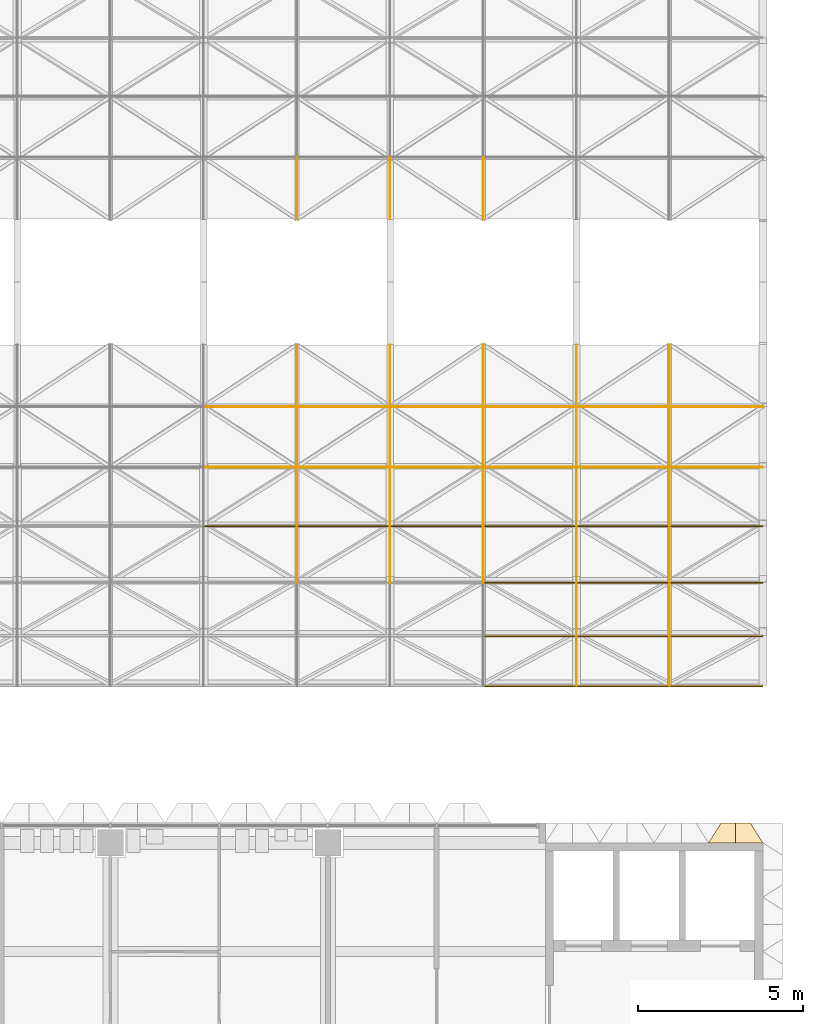
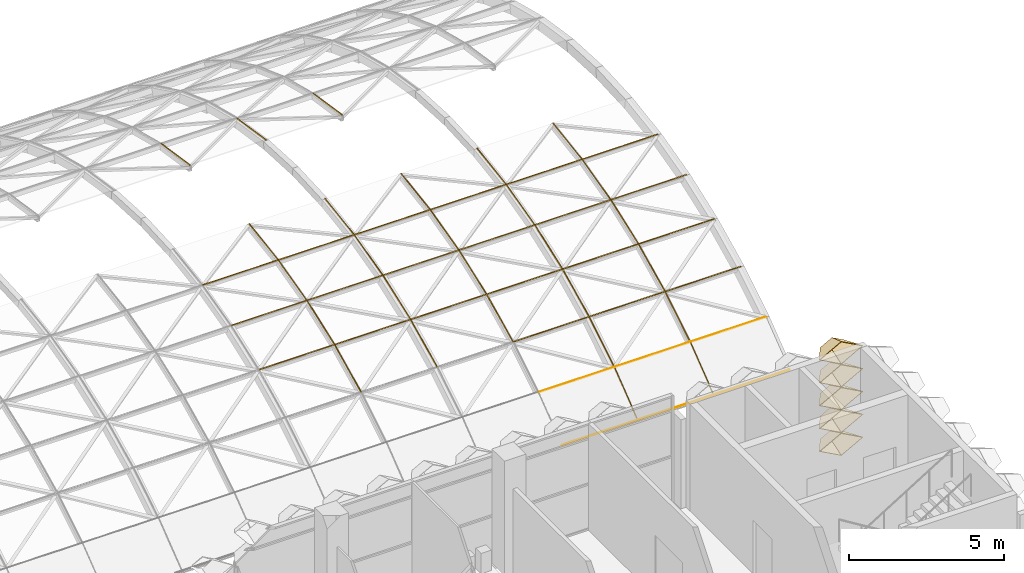
# One storey, part 69 of 85: 59 coverings.
"""IFC4 building model written with IfcOpenShell, lengths in metres."""

from ifc_helpers import new_model, entity, si_unit, direction, frame, origin, origin_2d, place, context, subcontext, project, spatial, rectangle, extrude, material, layer, layer_set, material_profile, profile_set, type_object, element, save


model = new_model("IFC4")

# Units and contexts
model_context = context("Model", 3, precision=1e-05, world=origin(), true_north=direction((0.0, 1.0)))
body_context = subcontext(model_context, "Body", "Model", "MODEL_VIEW")
ifc_project = project(units=[si_unit("LENGTHUNIT", "METRE"), si_unit("AREAUNIT", "SQUARE_METRE"), si_unit("VOLUMEUNIT", "CUBIC_METRE"), si_unit("PLANEANGLEUNIT", "RADIAN"), si_unit("MASSUNIT", "GRAM", prefix="KILO")], contexts=[model_context])

# Site, building, storey
site_placement = place(None, origin())
site = spatial("IfcSite", under=ifc_project, at=site_placement, CompositionType="ELEMENT")
building_placement = place(site_placement, origin())
building = spatial("IfcBuilding", under=site, at=building_placement, Name="Lantern Court Research Institute", CompositionType="ELEMENT")
storey_placement = place(building_placement, frame((0.0, 0.0, 18.89990234375)))
storey = spatial("IfcBuildingStorey", under=building, at=storey_placement, Name="L04", CompositionType="ELEMENT", Elevation=18.89990234375)

# Coverings
ifc_material_1 = material(Name="Anodised aluminium", Category="aluminium")
ifc_layer = layer(ifc_material_1, 0.01611328125)
ifc_layer_set = layer_set([ifc_layer], Name="Anodised aluminium")
covering_type_1 = type_object("IfcCoveringType", Name="Fin cassette 1650 x 900 x 600 aluminium", PredefinedType="CLADDING", material=ifc_layer_set)
covering_1_placement = place(storey_placement, frame((78.375, 23.10009765625, 0.4501953125), z_axis=(0.0, 1.0, 0.0), x_axis=(-1.0, 0.0, 0.0)))
cartesian_point_1 = entity("IfcCartesianPoint", [0.824951171875, 0.0])
cartesian_point_2 = entity("IfcCartesianPoint", [0.79150390625, 0.0])
cartesian_point_3 = entity("IfcCartesianPoint", [0.44189453125, 0.0])
cartesian_point_4 = entity("IfcCartesianPoint", [0.43359375, 0.0])
element("IfcCovering", 1, at=covering_1_placement, inside=storey, type_object=covering_type_1, Name="Fin cassette V5N-L04 1.48", PredefinedType="CLADDING", context=body_context, shape_type="SweptSolid", body=[
    entity("IfcExtrudedAreaSolidTapered", entity("IfcArbitraryProfileDefWithVoids", "AREA", None, entity("IfcPolyline", [cartesian_point_1, entity("IfcCartesianPoint", [0.0, 0.449951171875]), entity("IfcCartesianPoint", [-0.824951171875, 0.0]), entity("IfcCartesianPoint", [0.0, -0.449951171875]), cartesian_point_1]), [entity("IfcPolyline", [cartesian_point_2, entity("IfcCartesianPoint", [0.0, 0.431884765625]), entity("IfcCartesianPoint", [-0.79150390625, 0.0]), entity("IfcCartesianPoint", [0.0, -0.431884765625]), cartesian_point_2])]), entity("IfcAxis2Placement3D", entity("IfcCartesianPoint", [0.0, 0.0, 0.0])), entity("IfcDirection", [0.0, 0.0, 1.0]), 0.60009765625, entity("IfcArbitraryProfileDefWithVoids", "AREA", None, entity("IfcPolyline", [cartesian_point_3, entity("IfcCartesianPoint", [0.0, 0.240966796875]), entity("IfcCartesianPoint", [-0.44189453125, 0.0]), entity("IfcCartesianPoint", [0.0, -0.240966796875]), cartesian_point_3]), [entity("IfcPolyline", [cartesian_point_4, entity("IfcCartesianPoint", [0.0, 0.236572265625]), entity("IfcCartesianPoint", [-0.43359375, 0.0]), entity("IfcCartesianPoint", [0.0, -0.236572265625]), cartesian_point_4])])),
])
covering_2_placement = place(storey_placement, frame((78.375, 23.10009765625, 1.35009765625), z_axis=(0.0, 1.0, 0.0), x_axis=(-1.0, 0.0, 0.0)))
cartesian_point_5 = entity("IfcCartesianPoint", [0.824951171875, 0.0])
cartesian_point_6 = entity("IfcCartesianPoint", [0.79150390625, 0.0])
cartesian_point_7 = entity("IfcCartesianPoint", [0.44189453125, 0.0])
cartesian_point_8 = entity("IfcCartesianPoint", [0.43359375, 0.0])
element("IfcCovering", 2, at=covering_2_placement, inside=storey, type_object=covering_type_1, Name="Fin cassette V5N-L04 2.48", PredefinedType="CLADDING", context=body_context, shape_type="SweptSolid", body=[
    entity("IfcExtrudedAreaSolidTapered", entity("IfcArbitraryProfileDefWithVoids", "AREA", None, entity("IfcPolyline", [cartesian_point_5, entity("IfcCartesianPoint", [0.0, 0.449951171875]), entity("IfcCartesianPoint", [-0.824951171875, 0.0]), entity("IfcCartesianPoint", [0.0, -0.449951171875]), cartesian_point_5]), [entity("IfcPolyline", [cartesian_point_6, entity("IfcCartesianPoint", [0.0, 0.431884765625]), entity("IfcCartesianPoint", [-0.79150390625, 0.0]), entity("IfcCartesianPoint", [0.0, -0.431884765625]), cartesian_point_6])]), entity("IfcAxis2Placement3D", entity("IfcCartesianPoint", [0.0, 0.0, 0.0])), entity("IfcDirection", [0.0, 0.0, 1.0]), 0.60009765625, entity("IfcArbitraryProfileDefWithVoids", "AREA", None, entity("IfcPolyline", [cartesian_point_7, entity("IfcCartesianPoint", [0.0, 0.240966796875]), entity("IfcCartesianPoint", [-0.44189453125, 0.0]), entity("IfcCartesianPoint", [0.0, -0.240966796875]), cartesian_point_7]), [entity("IfcPolyline", [cartesian_point_8, entity("IfcCartesianPoint", [0.0, 0.236572265625]), entity("IfcCartesianPoint", [-0.43359375, 0.0]), entity("IfcCartesianPoint", [0.0, -0.236572265625]), cartesian_point_8])])),
])
covering_3_placement = place(storey_placement, frame((78.375, 23.10009765625, 2.25), z_axis=(0.0, 1.0, 0.0), x_axis=(-1.0, 0.0, 0.0)))
cartesian_point_9 = entity("IfcCartesianPoint", [0.824951171875, 0.0])
cartesian_point_10 = entity("IfcCartesianPoint", [0.79150390625, 0.0])
cartesian_point_11 = entity("IfcCartesianPoint", [0.44189453125, 0.0])
cartesian_point_12 = entity("IfcCartesianPoint", [0.43359375, 0.0])
element("IfcCovering", 3, at=covering_3_placement, inside=storey, type_object=covering_type_1, Name="Fin cassette V5N-L04 3.48", PredefinedType="CLADDING", context=body_context, shape_type="SweptSolid", body=[
    entity("IfcExtrudedAreaSolidTapered", entity("IfcArbitraryProfileDefWithVoids", "AREA", None, entity("IfcPolyline", [cartesian_point_9, entity("IfcCartesianPoint", [0.0, 0.449951171875]), entity("IfcCartesianPoint", [-0.824951171875, 0.0]), entity("IfcCartesianPoint", [0.0, -0.449951171875]), cartesian_point_9]), [entity("IfcPolyline", [cartesian_point_10, entity("IfcCartesianPoint", [0.0, 0.431884765625]), entity("IfcCartesianPoint", [-0.79150390625, 0.0]), entity("IfcCartesianPoint", [0.0, -0.431884765625]), cartesian_point_10])]), entity("IfcAxis2Placement3D", entity("IfcCartesianPoint", [0.0, 0.0, 0.0])), entity("IfcDirection", [0.0, 0.0, 1.0]), 0.60009765625, entity("IfcArbitraryProfileDefWithVoids", "AREA", None, entity("IfcPolyline", [cartesian_point_11, entity("IfcCartesianPoint", [0.0, 0.240966796875]), entity("IfcCartesianPoint", [-0.44189453125, 0.0]), entity("IfcCartesianPoint", [0.0, -0.240966796875]), cartesian_point_11]), [entity("IfcPolyline", [cartesian_point_12, entity("IfcCartesianPoint", [0.0, 0.236572265625]), entity("IfcCartesianPoint", [-0.43359375, 0.0]), entity("IfcCartesianPoint", [0.0, -0.236572265625]), cartesian_point_12])])),
])
covering_4_placement = place(storey_placement, frame((78.375, 23.10009765625, 3.150146484375), z_axis=(0.0, 1.0, 0.0), x_axis=(-1.0, 0.0, 0.0)))
cartesian_point_13 = entity("IfcCartesianPoint", [0.824951171875, 0.0])
cartesian_point_14 = entity("IfcCartesianPoint", [0.79150390625, 0.0])
cartesian_point_15 = entity("IfcCartesianPoint", [0.44189453125, 0.0])
cartesian_point_16 = entity("IfcCartesianPoint", [0.43359375, 0.0])
element("IfcCovering", 4, at=covering_4_placement, inside=storey, type_object=covering_type_1, Name="Fin cassette V5N-L04 4.48", PredefinedType="CLADDING", context=body_context, shape_type="SweptSolid", body=[
    entity("IfcExtrudedAreaSolidTapered", entity("IfcArbitraryProfileDefWithVoids", "AREA", None, entity("IfcPolyline", [cartesian_point_13, entity("IfcCartesianPoint", [0.0, 0.449951171875]), entity("IfcCartesianPoint", [-0.824951171875, 0.0]), entity("IfcCartesianPoint", [0.0, -0.449951171875]), cartesian_point_13]), [entity("IfcPolyline", [cartesian_point_14, entity("IfcCartesianPoint", [0.0, 0.431884765625]), entity("IfcCartesianPoint", [-0.79150390625, 0.0]), entity("IfcCartesianPoint", [0.0, -0.431884765625]), cartesian_point_14])]), entity("IfcAxis2Placement3D", entity("IfcCartesianPoint", [0.0, 0.0, 0.0])), entity("IfcDirection", [0.0, 0.0, 1.0]), 0.60009765625, entity("IfcArbitraryProfileDefWithVoids", "AREA", None, entity("IfcPolyline", [cartesian_point_15, entity("IfcCartesianPoint", [0.0, 0.240966796875]), entity("IfcCartesianPoint", [-0.44189453125, 0.0]), entity("IfcCartesianPoint", [0.0, -0.240966796875]), cartesian_point_15]), [entity("IfcPolyline", [cartesian_point_16, entity("IfcCartesianPoint", [0.0, 0.236572265625]), entity("IfcCartesianPoint", [-0.43359375, 0.0]), entity("IfcCartesianPoint", [0.0, -0.236572265625]), cartesian_point_16])])),
])
covering_5_placement = place(storey_placement, frame((78.375, 23.10009765625, 4.050048828125), z_axis=(0.0, 1.0, 0.0), x_axis=(-1.0, 0.0, 0.0)))
cartesian_point_17 = entity("IfcCartesianPoint", [0.824951171875, 0.0])
cartesian_point_18 = entity("IfcCartesianPoint", [0.79150390625, 0.0])
cartesian_point_19 = entity("IfcCartesianPoint", [0.44189453125, 0.0])
cartesian_point_20 = entity("IfcCartesianPoint", [0.43359375, 0.0])
element("IfcCovering", 5, at=covering_5_placement, inside=storey, type_object=covering_type_1, Name="Fin cassette V5N-L04 5.48", PredefinedType="CLADDING", context=body_context, shape_type="SweptSolid", body=[
    entity("IfcExtrudedAreaSolidTapered", entity("IfcArbitraryProfileDefWithVoids", "AREA", None, entity("IfcPolyline", [cartesian_point_17, entity("IfcCartesianPoint", [0.0, 0.449951171875]), entity("IfcCartesianPoint", [-0.824951171875, 0.0]), entity("IfcCartesianPoint", [0.0, -0.449951171875]), cartesian_point_17]), [entity("IfcPolyline", [cartesian_point_18, entity("IfcCartesianPoint", [0.0, 0.431884765625]), entity("IfcCartesianPoint", [-0.79150390625, 0.0]), entity("IfcCartesianPoint", [0.0, -0.431884765625]), cartesian_point_18])]), entity("IfcAxis2Placement3D", entity("IfcCartesianPoint", [0.0, 0.0, 0.0])), entity("IfcDirection", [0.0, 0.0, 1.0]), 0.60009765625, entity("IfcArbitraryProfileDefWithVoids", "AREA", None, entity("IfcPolyline", [cartesian_point_19, entity("IfcCartesianPoint", [0.0, 0.240966796875]), entity("IfcCartesianPoint", [-0.44189453125, 0.0]), entity("IfcCartesianPoint", [0.0, -0.240966796875]), cartesian_point_19]), [entity("IfcPolyline", [cartesian_point_20, entity("IfcCartesianPoint", [0.0, 0.236572265625]), entity("IfcCartesianPoint", [-0.43359375, 0.0]), entity("IfcCartesianPoint", [0.0, -0.236572265625]), cartesian_point_20])])),
])
ifc_material_2 = material(Name="Aluminium alloy 6063-T6", Category="aluminium")
ifc_material_profile_1 = material_profile(ifc_material_2, rectangle(XDim=0.01806640625, YDim=0.035888671875, at=origin_2d()), Name="Joint cover bar 18 x 36")
ifc_profile_set_1 = profile_set([ifc_material_profile_1], Name="Aluminium alloy 6063-T6")
covering_type_2 = type_object("IfcCoveringType", Name="Joint cover bar 18 x 36", PredefinedType="MOLDING", material=ifc_profile_set_1)
for number, where, z_axis, x_axis, name in (
    (6, (62.238525390625, 34.496337890625, 3.861328125), (1.0, 0.0, 0.0), (0.0, 0.954713115517, 0.29752792652), "Joint cover bar"),
    (7, (62.238525390625, 36.340576171875, 4.335693359375), (1.0, 0.0, 0.0), (0.0, 0.979787176632, 0.200042716708), "Joint cover bar"),
):
    element("IfcCovering", number, at=place(storey_placement, frame(where, z_axis=z_axis, x_axis=x_axis)), inside=storey, type_object=covering_type_2, Name=name, PredefinedType="MOLDING", context=body_context, shape_type="SweptSolid", body=[
        extrude(rectangle(XDim=0.01806640625, YDim=0.035888671875, at=origin_2d()), origin(), (0.0, 0.0, 1.0), 2.80859375),
    ])
covering_6_placement = place(storey_placement, frame((65.05712890625, 34.497314453125, 3.861572265625), z_axis=(0.0, 0.968474356566, 0.249113268764), x_axis=(-1.0, 0.0, 0.0)))
element("IfcCovering", 8, at=covering_6_placement, inside=storey, type_object=covering_type_2, Name="Joint cover bar", PredefinedType="MOLDING", context=body_context, shape_type="SweptSolid", body=[
    extrude(rectangle(XDim=0.01806640625, YDim=0.035888671875, at=origin_2d()), origin(), (0.0, 0.0, 1.0), 1.90234375),
])
covering_7_placement = place(storey_placement, frame((65.067138671875, 34.496337890625, 3.861328125), z_axis=(1.0, 0.0, 0.0), x_axis=(0.0, 0.954713115517, 0.29752792652)))
element("IfcCovering", 9, at=covering_7_placement, inside=storey, type_object=covering_type_2, Name="Joint cover bar", PredefinedType="MOLDING", context=body_context, shape_type="SweptSolid", body=[
    extrude(rectangle(XDim=0.01806640625, YDim=0.035888671875, at=origin_2d()), origin(), (0.0, 0.0, 1.0), 2.80859375),
])
covering_8_placement = place(storey_placement, frame((65.05712890625, 36.341552734375, 4.3359375), z_axis=(0.0, 0.988622571714, 0.150417454764), x_axis=(-1.0, 0.0, 0.0)))
element("IfcCovering", 10, at=covering_8_placement, inside=storey, type_object=covering_type_2, Name="Joint cover bar", PredefinedType="MOLDING", context=body_context, shape_type="SweptSolid", body=[
    extrude(rectangle(XDim=0.01806640625, YDim=0.035888671875, at=origin_2d()), origin(), (0.0, 0.0, 1.0), 1.90234375),
])
covering_9_placement = place(storey_placement, frame((65.067138671875, 36.340576171875, 4.335693359375), z_axis=(1.0, 0.0, 0.0), x_axis=(0.0, 0.979787176632, 0.200042716708)))
element("IfcCovering", 11, at=covering_9_placement, inside=storey, type_object=covering_type_2, Name="Joint cover bar", PredefinedType="MOLDING", context=body_context, shape_type="SweptSolid", body=[
    extrude(rectangle(XDim=0.01806640625, YDim=0.035888671875, at=origin_2d()), origin(), (0.0, 0.0, 1.0), 2.80859375),
])
for number, where, z_axis, x_axis, name in (
    (12, (65.05712890625, 42.02783203125, 4.6220703125), (0.0, 0.988622571714, -0.150417454764), (-1.0, 0.0, 0.0), "Joint cover bar"),
    (13, (67.8857421875, 34.497314453125, 3.861572265625), (0.0, 0.968474356566, 0.249113268764), (-1.0, 0.0, 0.0), "Joint cover bar"),
):
    element("IfcCovering", number, at=place(storey_placement, frame(where, z_axis=z_axis, x_axis=x_axis)), inside=storey, type_object=covering_type_2, Name=name, PredefinedType="MOLDING", context=body_context, shape_type="SweptSolid", body=[
        extrude(rectangle(XDim=0.01806640625, YDim=0.035888671875, at=origin_2d()), origin(), (0.0, 0.0, 1.0), 1.90234375),
    ])
covering_10_placement = place(storey_placement, frame((67.895751953125, 34.496337890625, 3.861328125), z_axis=(1.0, 0.0, 0.0), x_axis=(0.0, 0.954713115517, 0.29752792652)))
element("IfcCovering", 14, at=covering_10_placement, inside=storey, type_object=covering_type_2, Name="Joint cover bar", PredefinedType="MOLDING", context=body_context, shape_type="SweptSolid", body=[
    extrude(rectangle(XDim=0.01806640625, YDim=0.035888671875, at=origin_2d()), origin(), (0.0, 0.0, 1.0), 2.80859375),
])
covering_11_placement = place(storey_placement, frame((67.8857421875, 36.341552734375, 4.3359375), z_axis=(0.0, 0.988622571714, 0.150417454764), x_axis=(-1.0, 0.0, 0.0)))
element("IfcCovering", 15, at=covering_11_placement, inside=storey, type_object=covering_type_2, Name="Joint cover bar", PredefinedType="MOLDING", context=body_context, shape_type="SweptSolid", body=[
    extrude(rectangle(XDim=0.01806640625, YDim=0.035888671875, at=origin_2d()), origin(), (0.0, 0.0, 1.0), 1.90234375),
])
covering_12_placement = place(storey_placement, frame((67.895751953125, 36.340576171875, 4.335693359375), z_axis=(1.0, 0.0, 0.0), x_axis=(0.0, 0.979787176632, 0.200042716708)))
element("IfcCovering", 16, at=covering_12_placement, inside=storey, type_object=covering_type_2, Name="Joint cover bar", PredefinedType="MOLDING", context=body_context, shape_type="SweptSolid", body=[
    extrude(rectangle(XDim=0.01806640625, YDim=0.035888671875, at=origin_2d()), origin(), (0.0, 0.0, 1.0), 2.80859375),
])
for number, where, z_axis, x_axis, name in (
    (17, (67.8857421875, 42.02783203125, 4.6220703125), (0.0, 0.988622571714, -0.150417454764), (-1.0, 0.0, 0.0), "Joint cover bar"),
    (18, (70.71435546875, 34.497314453125, 3.861572265625), (0.0, 0.968474356566, 0.249113268764), (-1.0, 0.0, 0.0), "Joint cover bar"),
):
    element("IfcCovering", number, at=place(storey_placement, frame(where, z_axis=z_axis, x_axis=x_axis)), inside=storey, type_object=covering_type_2, Name=name, PredefinedType="MOLDING", context=body_context, shape_type="SweptSolid", body=[
        extrude(rectangle(XDim=0.01806640625, YDim=0.035888671875, at=origin_2d()), origin(), (0.0, 0.0, 1.0), 1.90234375),
    ])
covering_13_placement = place(storey_placement, frame((70.724365234375, 34.496337890625, 3.861328125), z_axis=(1.0, 0.0, 0.0), x_axis=(0.0, 0.954713115517, 0.29752792652)))
element("IfcCovering", 19, at=covering_13_placement, inside=storey, type_object=covering_type_2, Name="Joint cover bar", PredefinedType="MOLDING", context=body_context, shape_type="SweptSolid", body=[
    extrude(rectangle(XDim=0.01806640625, YDim=0.035888671875, at=origin_2d()), origin(), (0.0, 0.0, 1.0), 2.80859375),
])
covering_14_placement = place(storey_placement, frame((70.71435546875, 36.341552734375, 4.3359375), z_axis=(0.0, 0.988622571714, 0.150417454764), x_axis=(-1.0, 0.0, 0.0)))
element("IfcCovering", 20, at=covering_14_placement, inside=storey, type_object=covering_type_2, Name="Joint cover bar", PredefinedType="MOLDING", context=body_context, shape_type="SweptSolid", body=[
    extrude(rectangle(XDim=0.01806640625, YDim=0.035888671875, at=origin_2d()), origin(), (0.0, 0.0, 1.0), 1.90234375),
])
covering_15_placement = place(storey_placement, frame((70.724365234375, 36.340576171875, 4.335693359375), z_axis=(1.0, 0.0, 0.0), x_axis=(0.0, 0.979787176632, 0.200042716708)))
element("IfcCovering", 21, at=covering_15_placement, inside=storey, type_object=covering_type_2, Name="Joint cover bar", PredefinedType="MOLDING", context=body_context, shape_type="SweptSolid", body=[
    extrude(rectangle(XDim=0.01806640625, YDim=0.035888671875, at=origin_2d()), origin(), (0.0, 0.0, 1.0), 2.80859375),
])
for number, where, z_axis, x_axis, name in (
    (22, (70.71435546875, 42.02783203125, 4.6220703125), (0.0, 0.988622571714, -0.150417454764), (-1.0, 0.0, 0.0), "Joint cover bar"),
    (23, (73.54296875, 34.497314453125, 3.861572265625), (0.0, 0.968474356566, 0.249113268764), (-1.0, 0.0, 0.0), "Joint cover bar"),
):
    element("IfcCovering", number, at=place(storey_placement, frame(where, z_axis=z_axis, x_axis=x_axis)), inside=storey, type_object=covering_type_2, Name=name, PredefinedType="MOLDING", context=body_context, shape_type="SweptSolid", body=[
        extrude(rectangle(XDim=0.01806640625, YDim=0.035888671875, at=origin_2d()), origin(), (0.0, 0.0, 1.0), 1.90234375),
    ])
covering_16_placement = place(storey_placement, frame((73.552978515625, 34.496337890625, 3.861328125), z_axis=(1.0, 0.0, 0.0), x_axis=(0.0, 0.954713115517, 0.29752792652)))
element("IfcCovering", 24, at=covering_16_placement, inside=storey, type_object=covering_type_2, Name="Joint cover bar", PredefinedType="MOLDING", context=body_context, shape_type="SweptSolid", body=[
    extrude(rectangle(XDim=0.01806640625, YDim=0.035888671875, at=origin_2d()), origin(), (0.0, 0.0, 1.0), 2.808349609375),
])
covering_17_placement = place(storey_placement, frame((73.54296875, 36.341552734375, 4.3359375), z_axis=(0.0, 0.988622571714, 0.150417454764), x_axis=(-1.0, 0.0, 0.0)))
element("IfcCovering", 25, at=covering_17_placement, inside=storey, type_object=covering_type_2, Name="Joint cover bar", PredefinedType="MOLDING", context=body_context, shape_type="SweptSolid", body=[
    extrude(rectangle(XDim=0.01806640625, YDim=0.035888671875, at=origin_2d()), origin(), (0.0, 0.0, 1.0), 1.90234375),
])
covering_18_placement = place(storey_placement, frame((73.552978515625, 36.340576171875, 4.335693359375), z_axis=(1.0, 0.0, 0.0), x_axis=(0.0, 0.979787176632, 0.200042716708)))
element("IfcCovering", 26, at=covering_18_placement, inside=storey, type_object=covering_type_2, Name="Joint cover bar", PredefinedType="MOLDING", context=body_context, shape_type="SweptSolid", body=[
    extrude(rectangle(XDim=0.01806640625, YDim=0.035888671875, at=origin_2d()), origin(), (0.0, 0.0, 1.0), 2.808349609375),
])
covering_19_placement = place(storey_placement, frame((76.371337890625, 34.497314453125, 3.861572265625), z_axis=(0.0, 0.968474356566, 0.249113268764), x_axis=(-1.0, 0.0, 0.0)))
element("IfcCovering", 27, at=covering_19_placement, inside=storey, type_object=covering_type_2, Name="Joint cover bar", PredefinedType="MOLDING", context=body_context, shape_type="SweptSolid", body=[
    extrude(rectangle(XDim=0.01806640625, YDim=0.035888671875, at=origin_2d()), origin(), (0.0, 0.0, 1.0), 1.90234375),
])
covering_20_placement = place(storey_placement, frame((76.38134765625, 34.496337890625, 3.861328125), z_axis=(1.0, 0.0, 0.0), x_axis=(0.0, 0.954713115517, 0.29752792652)))
element("IfcCovering", 28, at=covering_20_placement, inside=storey, type_object=covering_type_2, Name="Joint cover bar", PredefinedType="MOLDING", context=body_context, shape_type="SweptSolid", body=[
    extrude(rectangle(XDim=0.01806640625, YDim=0.035888671875, at=origin_2d()), origin(), (0.0, 0.0, 1.0), 2.80859375),
])
covering_21_placement = place(storey_placement, frame((76.371337890625, 36.341552734375, 4.3359375), z_axis=(0.0, 0.988622571714, 0.150417454764), x_axis=(-1.0, 0.0, 0.0)))
element("IfcCovering", 29, at=covering_21_placement, inside=storey, type_object=covering_type_2, Name="Joint cover bar", PredefinedType="MOLDING", context=body_context, shape_type="SweptSolid", body=[
    extrude(rectangle(XDim=0.01806640625, YDim=0.035888671875, at=origin_2d()), origin(), (0.0, 0.0, 1.0), 1.90234375),
])
covering_22_placement = place(storey_placement, frame((76.38134765625, 36.340576171875, 4.335693359375), z_axis=(1.0, 0.0, 0.0), x_axis=(0.0, 0.979787176632, 0.200042716708)))
element("IfcCovering", 30, at=covering_22_placement, inside=storey, type_object=covering_type_2, Name="Joint cover bar", PredefinedType="MOLDING", context=body_context, shape_type="SweptSolid", body=[
    extrude(rectangle(XDim=0.01806640625, YDim=0.035888671875, at=origin_2d()), origin(), (0.0, 0.0, 1.0), 2.80859375),
])
ifc_material_3 = material(Name="Aluminium alloy 6063-T6", Category="aluminium")
ifc_material_profile_2 = material_profile(ifc_material_3, rectangle(XDim=0.01806640625, YDim=0.0439453125, at=origin_2d()), Name="Joint cover bar 18 x 44")
ifc_profile_set_2 = profile_set([ifc_material_profile_2], Name="Aluminium alloy 6063-T6")
covering_type_3 = type_object("IfcCoveringType", Name="Joint cover bar 18 x 44", PredefinedType="MOLDING", material=ifc_profile_set_2)
covering_23_placement = place(storey_placement, frame((62.238525390625, 32.70751953125, 3.207763671875), z_axis=(1.0, 0.0, 0.0), x_axis=(0.0, 0.919965822984, 0.391998577219)))
element("IfcCovering", 31, at=covering_23_placement, inside=storey, type_object=covering_type_3, Name="Joint cover bar", PredefinedType="MOLDING", context=body_context, shape_type="SweptSolid", body=[
    extrude(rectangle(XDim=0.01806640625, YDim=0.0439453125, at=origin_2d()), origin(), (0.0, 0.0, 1.0), 2.80859375),
])
covering_24_placement = place(storey_placement, frame((65.05712890625, 30.99609375, 2.374267578125), z_axis=(0.0, 0.899049454889, 0.437847093931), x_axis=(-1.0, 0.0, 0.0)))
element("IfcCovering", 32, at=covering_24_placement, inside=storey, type_object=covering_type_3, Name="Joint cover bar", PredefinedType="MOLDING", context=body_context, shape_type="SweptSolid", body=[
    extrude(rectangle(XDim=0.01806640625, YDim=0.0439453125, at=origin_2d()), origin(), (0.0, 0.0, 1.0), 1.902587890625),
])
covering_25_placement = place(storey_placement, frame((65.05712890625, 32.708740234375, 3.2080078125), z_axis=(0.0, 0.938520472327, 0.345223584105), x_axis=(-1.0, 0.0, 0.0)))
element("IfcCovering", 33, at=covering_25_placement, inside=storey, type_object=covering_type_3, Name="Joint cover bar", PredefinedType="MOLDING", context=body_context, shape_type="SweptSolid", body=[
    extrude(rectangle(XDim=0.01806640625, YDim=0.0439453125, at=origin_2d()), origin(), (0.0, 0.0, 1.0), 1.90234375),
])
covering_26_placement = place(storey_placement, frame((65.067138671875, 32.70751953125, 3.207763671875), z_axis=(1.0, 0.0, 0.0), x_axis=(0.0, 0.919965822984, 0.391998577219)))
element("IfcCovering", 34, at=covering_26_placement, inside=storey, type_object=covering_type_3, Name="Joint cover bar", PredefinedType="MOLDING", context=body_context, shape_type="SweptSolid", body=[
    extrude(rectangle(XDim=0.01806640625, YDim=0.0439453125, at=origin_2d()), origin(), (0.0, 0.0, 1.0), 2.80859375),
])
covering_27_placement = place(storey_placement, frame((67.8857421875, 30.99609375, 2.374267578125), z_axis=(0.0, 0.899049454889, 0.437847093931), x_axis=(-1.0, 0.0, 0.0)))
element("IfcCovering", 35, at=covering_27_placement, inside=storey, type_object=covering_type_3, Name="Joint cover bar", PredefinedType="MOLDING", context=body_context, shape_type="SweptSolid", body=[
    extrude(rectangle(XDim=0.01806640625, YDim=0.0439453125, at=origin_2d()), origin(), (0.0, 0.0, 1.0), 1.902587890625),
])
covering_28_placement = place(storey_placement, frame((67.8857421875, 32.708740234375, 3.2080078125), z_axis=(0.0, 0.938520472327, 0.345223584105), x_axis=(-1.0, 0.0, 0.0)))
element("IfcCovering", 36, at=covering_28_placement, inside=storey, type_object=covering_type_3, Name="Joint cover bar", PredefinedType="MOLDING", context=body_context, shape_type="SweptSolid", body=[
    extrude(rectangle(XDim=0.01806640625, YDim=0.0439453125, at=origin_2d()), origin(), (0.0, 0.0, 1.0), 1.90234375),
])
for number, where, z_axis, x_axis, name in (
    (37, (67.895751953125, 32.70751953125, 3.207763671875), (1.0, 0.0, 0.0), (0.0, 0.919965822984, 0.391998577219), "Joint cover bar"),
    (38, (70.724365234375, 27.8642578125, 0.21240234375), (1.0, 0.0, 0.0), (0.0, 0.761672913152, 0.647961706717), "Joint cover bar"),
    (39, (70.724365234375, 29.375244140625, 1.3720703125), (1.0, 0.0, 0.0), (0.0, 0.822954255966, 0.568107641726), "Joint cover bar"),
):
    element("IfcCovering", number, at=place(storey_placement, frame(where, z_axis=z_axis, x_axis=x_axis)), inside=storey, type_object=covering_type_3, Name=name, PredefinedType="MOLDING", context=body_context, shape_type="SweptSolid", body=[
        extrude(rectangle(XDim=0.01806640625, YDim=0.0439453125, at=origin_2d()), origin(), (0.0, 0.0, 1.0), 2.80859375),
    ])
covering_29_placement = place(storey_placement, frame((70.71435546875, 30.99609375, 2.374267578125), z_axis=(0.0, 0.899049454889, 0.437847093931), x_axis=(-1.0, 0.0, 0.0)))
element("IfcCovering", 40, at=covering_29_placement, inside=storey, type_object=covering_type_3, Name="Joint cover bar", PredefinedType="MOLDING", context=body_context, shape_type="SweptSolid", body=[
    extrude(rectangle(XDim=0.01806640625, YDim=0.0439453125, at=origin_2d()), origin(), (0.0, 0.0, 1.0), 1.902587890625),
])
covering_30_placement = place(storey_placement, frame((70.724365234375, 30.9951171875, 2.373779296875), z_axis=(1.0, 0.0, 0.0), x_axis=(0.0, 0.875897373228, 0.482497452399)))
element("IfcCovering", 41, at=covering_30_placement, inside=storey, type_object=covering_type_3, Name="Joint cover bar", PredefinedType="MOLDING", context=body_context, shape_type="SweptSolid", body=[
    extrude(rectangle(XDim=0.01806640625, YDim=0.0439453125, at=origin_2d()), origin(), (0.0, 0.0, 1.0), 2.80859375),
])
covering_31_placement = place(storey_placement, frame((70.71435546875, 32.708740234375, 3.2080078125), z_axis=(0.0, 0.938520472327, 0.345223584105), x_axis=(-1.0, 0.0, 0.0)))
element("IfcCovering", 42, at=covering_31_placement, inside=storey, type_object=covering_type_3, Name="Joint cover bar", PredefinedType="MOLDING", context=body_context, shape_type="SweptSolid", body=[
    extrude(rectangle(XDim=0.01806640625, YDim=0.0439453125, at=origin_2d()), origin(), (0.0, 0.0, 1.0), 1.90234375),
])
covering_32_placement = place(storey_placement, frame((70.724365234375, 32.70751953125, 3.207763671875), z_axis=(1.0, 0.0, 0.0), x_axis=(0.0, 0.919965822984, 0.391998577219)))
element("IfcCovering", 43, at=covering_32_placement, inside=storey, type_object=covering_type_3, Name="Joint cover bar", PredefinedType="MOLDING", context=body_context, shape_type="SweptSolid", body=[
    extrude(rectangle(XDim=0.01806640625, YDim=0.0439453125, at=origin_2d()), origin(), (0.0, 0.0, 1.0), 2.80859375),
])
covering_33_placement = place(storey_placement, frame((73.54296875, 27.864990234375, 0.213134765625), z_axis=(0.0, 0.793329505358, 0.608792490039), x_axis=(-1.0, 0.0, 0.0)))
element("IfcCovering", 44, at=covering_33_placement, inside=storey, type_object=covering_type_3, Name="Joint cover bar", PredefinedType="MOLDING", context=body_context, shape_type="SweptSolid", body=[
    extrude(rectangle(XDim=0.01806640625, YDim=0.0439453125, at=origin_2d()), origin(), (0.0, 0.0, 1.0), 1.90234375),
])
covering_34_placement = place(storey_placement, frame((73.552978515625, 27.8642578125, 0.21240234375), z_axis=(1.0, 0.0, 0.0), x_axis=(0.0, 0.761672913152, 0.647961706717)))
element("IfcCovering", 45, at=covering_34_placement, inside=storey, type_object=covering_type_3, Name="Joint cover bar", PredefinedType="MOLDING", context=body_context, shape_type="SweptSolid", body=[
    extrude(rectangle(XDim=0.01806640625, YDim=0.0439453125, at=origin_2d()), origin(), (0.0, 0.0, 1.0), 2.808349609375),
])
covering_35_placement = place(storey_placement, frame((73.54296875, 29.376220703125, 1.37255859375), z_axis=(0.0, 0.850462004525, 0.526036480541), x_axis=(-1.0, 0.0, 0.0)))
element("IfcCovering", 46, at=covering_35_placement, inside=storey, type_object=covering_type_3, Name="Joint cover bar", PredefinedType="MOLDING", context=body_context, shape_type="SweptSolid", body=[
    extrude(rectangle(XDim=0.01806640625, YDim=0.0439453125, at=origin_2d()), origin(), (0.0, 0.0, 1.0), 1.90234375),
])
covering_36_placement = place(storey_placement, frame((73.552978515625, 29.375244140625, 1.3720703125), z_axis=(1.0, 0.0, 0.0), x_axis=(0.0, 0.822954255966, 0.568107641726)))
element("IfcCovering", 47, at=covering_36_placement, inside=storey, type_object=covering_type_3, Name="Joint cover bar", PredefinedType="MOLDING", context=body_context, shape_type="SweptSolid", body=[
    extrude(rectangle(XDim=0.01806640625, YDim=0.0439453125, at=origin_2d()), origin(), (0.0, 0.0, 1.0), 2.808349609375),
])
covering_37_placement = place(storey_placement, frame((73.54296875, 30.99609375, 2.374267578125), z_axis=(0.0, 0.899049454889, 0.437847093931), x_axis=(-1.0, 0.0, 0.0)))
element("IfcCovering", 48, at=covering_37_placement, inside=storey, type_object=covering_type_3, Name="Joint cover bar", PredefinedType="MOLDING", context=body_context, shape_type="SweptSolid", body=[
    extrude(rectangle(XDim=0.01806640625, YDim=0.0439453125, at=origin_2d()), origin(), (0.0, 0.0, 1.0), 1.902587890625),
])
covering_38_placement = place(storey_placement, frame((73.552978515625, 30.9951171875, 2.373779296875), z_axis=(1.0, 0.0, 0.0), x_axis=(0.0, 0.875897373228, 0.482497452399)))
element("IfcCovering", 49, at=covering_38_placement, inside=storey, type_object=covering_type_3, Name="Joint cover bar", PredefinedType="MOLDING", context=body_context, shape_type="SweptSolid", body=[
    extrude(rectangle(XDim=0.01806640625, YDim=0.0439453125, at=origin_2d()), origin(), (0.0, 0.0, 1.0), 2.808349609375),
])
covering_39_placement = place(storey_placement, frame((73.54296875, 32.708740234375, 3.2080078125), z_axis=(0.0, 0.938520472327, 0.345223584105), x_axis=(-1.0, 0.0, 0.0)))
element("IfcCovering", 50, at=covering_39_placement, inside=storey, type_object=covering_type_3, Name="Joint cover bar", PredefinedType="MOLDING", context=body_context, shape_type="SweptSolid", body=[
    extrude(rectangle(XDim=0.01806640625, YDim=0.0439453125, at=origin_2d()), origin(), (0.0, 0.0, 1.0), 1.90234375),
])
covering_40_placement = place(storey_placement, frame((73.552978515625, 32.70751953125, 3.207763671875), z_axis=(1.0, 0.0, 0.0), x_axis=(0.0, 0.919965822984, 0.391998577219)))
element("IfcCovering", 51, at=covering_40_placement, inside=storey, type_object=covering_type_3, Name="Joint cover bar", PredefinedType="MOLDING", context=body_context, shape_type="SweptSolid", body=[
    extrude(rectangle(XDim=0.01806640625, YDim=0.0439453125, at=origin_2d()), origin(), (0.0, 0.0, 1.0), 2.808349609375),
])
covering_41_placement = place(storey_placement, frame((76.371337890625, 27.864990234375, 0.213134765625), z_axis=(0.0, 0.793329505358, 0.608792490039), x_axis=(-1.0, 0.0, 0.0)))
element("IfcCovering", 52, at=covering_41_placement, inside=storey, type_object=covering_type_3, Name="Joint cover bar", PredefinedType="MOLDING", context=body_context, shape_type="SweptSolid", body=[
    extrude(rectangle(XDim=0.01806640625, YDim=0.0439453125, at=origin_2d()), origin(), (0.0, 0.0, 1.0), 1.90234375),
])
covering_42_placement = place(storey_placement, frame((76.38134765625, 27.8642578125, 0.21240234375), z_axis=(1.0, 0.0, 0.0), x_axis=(0.0, 0.761672913152, 0.647961706717)))
element("IfcCovering", 53, at=covering_42_placement, inside=storey, type_object=covering_type_3, Name="Joint cover bar", PredefinedType="MOLDING", context=body_context, shape_type="SweptSolid", body=[
    extrude(rectangle(XDim=0.01806640625, YDim=0.0439453125, at=origin_2d()), origin(), (0.0, 0.0, 1.0), 2.80859375),
])
covering_43_placement = place(storey_placement, frame((76.371337890625, 29.376220703125, 1.37255859375), z_axis=(0.0, 0.850462004525, 0.526036480541), x_axis=(-1.0, 0.0, 0.0)))
element("IfcCovering", 54, at=covering_43_placement, inside=storey, type_object=covering_type_3, Name="Joint cover bar", PredefinedType="MOLDING", context=body_context, shape_type="SweptSolid", body=[
    extrude(rectangle(XDim=0.01806640625, YDim=0.0439453125, at=origin_2d()), origin(), (0.0, 0.0, 1.0), 1.90234375),
])
covering_44_placement = place(storey_placement, frame((76.38134765625, 29.375244140625, 1.3720703125), z_axis=(1.0, 0.0, 0.0), x_axis=(0.0, 0.822954255966, 0.568107641726)))
element("IfcCovering", 55, at=covering_44_placement, inside=storey, type_object=covering_type_3, Name="Joint cover bar", PredefinedType="MOLDING", context=body_context, shape_type="SweptSolid", body=[
    extrude(rectangle(XDim=0.01806640625, YDim=0.0439453125, at=origin_2d()), origin(), (0.0, 0.0, 1.0), 2.80859375),
])
covering_45_placement = place(storey_placement, frame((76.371337890625, 30.99609375, 2.374267578125), z_axis=(0.0, 0.899049454889, 0.437847093931), x_axis=(-1.0, 0.0, 0.0)))
element("IfcCovering", 56, at=covering_45_placement, inside=storey, type_object=covering_type_3, Name="Joint cover bar", PredefinedType="MOLDING", context=body_context, shape_type="SweptSolid", body=[
    extrude(rectangle(XDim=0.01806640625, YDim=0.0439453125, at=origin_2d()), origin(), (0.0, 0.0, 1.0), 1.902587890625),
])
covering_46_placement = place(storey_placement, frame((76.38134765625, 30.9951171875, 2.373779296875), z_axis=(1.0, 0.0, 0.0), x_axis=(0.0, 0.875897373228, 0.482497452399)))
element("IfcCovering", 57, at=covering_46_placement, inside=storey, type_object=covering_type_3, Name="Joint cover bar", PredefinedType="MOLDING", context=body_context, shape_type="SweptSolid", body=[
    extrude(rectangle(XDim=0.01806640625, YDim=0.0439453125, at=origin_2d()), origin(), (0.0, 0.0, 1.0), 2.80859375),
])
covering_47_placement = place(storey_placement, frame((76.371337890625, 32.708740234375, 3.2080078125), z_axis=(0.0, 0.938520472327, 0.345223584105), x_axis=(-1.0, 0.0, 0.0)))
element("IfcCovering", 58, at=covering_47_placement, inside=storey, type_object=covering_type_3, Name="Joint cover bar", PredefinedType="MOLDING", context=body_context, shape_type="SweptSolid", body=[
    extrude(rectangle(XDim=0.01806640625, YDim=0.0439453125, at=origin_2d()), origin(), (0.0, 0.0, 1.0), 1.90234375),
])
covering_48_placement = place(storey_placement, frame((76.38134765625, 32.70751953125, 3.207763671875), z_axis=(1.0, 0.0, 0.0), x_axis=(0.0, 0.919965822984, 0.391998577219)))
element("IfcCovering", 59, at=covering_48_placement, inside=storey, type_object=covering_type_3, Name="Joint cover bar", PredefinedType="MOLDING", context=body_context, shape_type="SweptSolid", body=[
    extrude(rectangle(XDim=0.01806640625, YDim=0.0439453125, at=origin_2d()), origin(), (0.0, 0.0, 1.0), 2.80859375),
])

save(model, "model.ifc")
